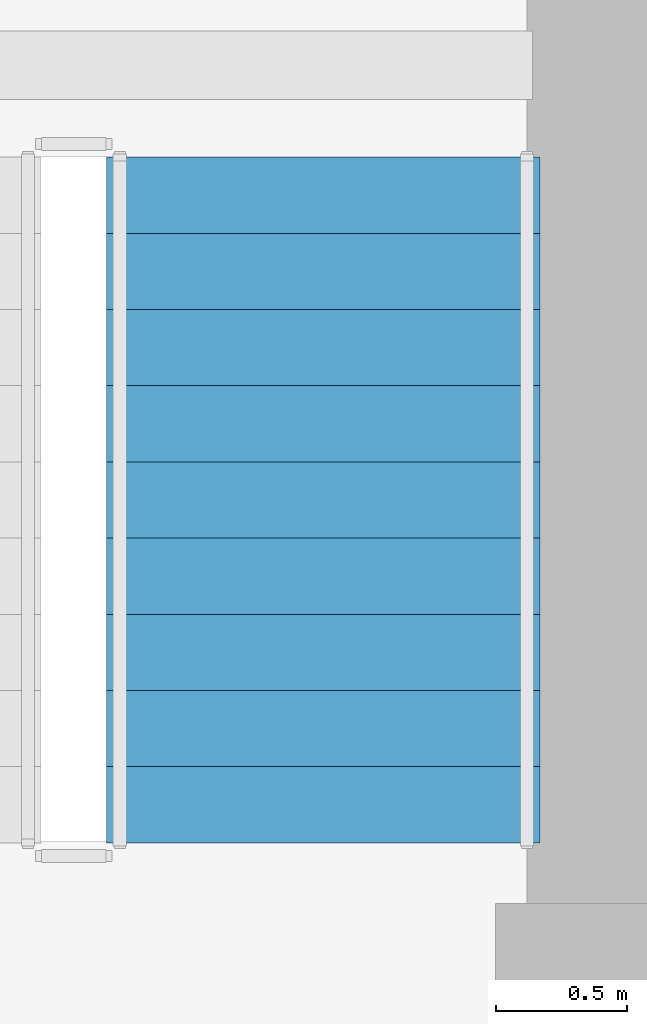
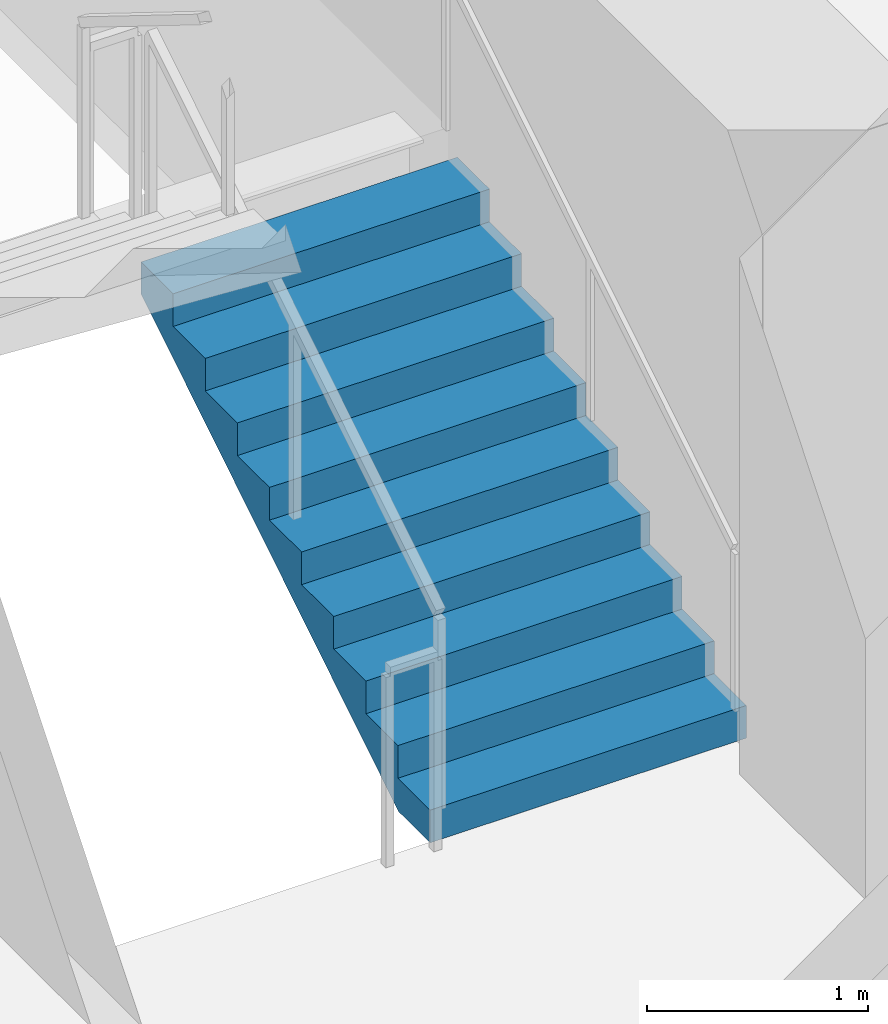
# One storey, part 13 of 15: 1 stair flight, 1 element without a shape of its own.
"""IFC4 building model written with IfcOpenShell, lengths in metres."""

from ifc_helpers import new_model, si_unit, derived_unit, direction, frame, origin, place, context, subcontext, project, spatial, polyline, outline, extrude, material, type_object, element, aggregate, save


model = new_model("IFC4")

# Units and contexts
model_context = context("Model", 3, precision=1e-05, world=origin(), true_north=direction((0.0, 1.0)))
body_context = subcontext(model_context, "Body", "Model", "MODEL_VIEW")
ifc_project = project(units=[si_unit("LENGTHUNIT", "METRE"), si_unit("AREAUNIT", "SQUARE_METRE"), si_unit("VOLUMEUNIT", "CUBIC_METRE"), si_unit("PLANEANGLEUNIT", "RADIAN"), si_unit("MASSUNIT", "GRAM", prefix="KILO"), derived_unit("THERMALTRANSMITTANCEUNIT", [(si_unit("POWERUNIT", "WATT"), 1), (si_unit("LENGTHUNIT", "METRE"), -2), (si_unit("THERMODYNAMICTEMPERATUREUNIT", "KELVIN"), -1)])], contexts=[model_context])

# Site, building, storey
site_placement = place(None, origin())
site = spatial("IfcSite", under=ifc_project, at=site_placement, CompositionType="ELEMENT")
building_placement = place(site_placement, origin())
building = spatial("IfcBuilding", under=site, at=building_placement, Name="Koralith Skygarden Medical Center", CompositionType="ELEMENT")
storey_placement = place(building_placement, frame((0.0, 0.0, 41.93994140625)))
storey = spatial("IfcBuildingStorey", under=building, at=storey_placement, Name="L10", CompositionType="ELEMENT", Elevation=41.93994140625)

# Stair, stair flight
ifc_material = material(Name="Concrete C45/55", Category="concrete")
stair_type = type_object("IfcStairType", Name="Core Exit Dogleg Concrete Stair", PredefinedType="HALF_TURN_STAIR", material=ifc_material)
stair_placement = place(storey_placement, origin())
stair = element("IfcStair", 1, at=stair_placement, inside=storey, type_object=stair_type, Name="L10 Smokeproof Exit Stair ST2", PredefinedType="HALF_TURN_STAIR")
stair_flight_type = type_object("IfcStairFlightType", Name="Core Exit Concrete Stair Flight 1650", PredefinedType="STRAIGHT", material=ifc_material)
stair_flight_placement = place(storey_placement, frame((46.97509765625, 26.699951171875, 0.0), z_axis=(0.0, 0.0, 1.0), x_axis=(0.0, 1.0, 0.0)))
stair_flight = element("IfcStairFlight", 2, at=stair_flight_placement, type_object=stair_flight_type, Name="ST2 flight 1", NumberOfRisers=10, NumberOfTreads=9, PredefinedType="STRAIGHT", RiserHeight=0.18, TreadLength=0.29, context=body_context, shape_type="SweptSolid", body=[
    extrude(outline(polyline([(0.0, 0.0), (0.0, 0.179931640625), (0.2900390625, 0.179931640625), (0.2900390625, 0.360107421875), (0.580078125, 0.360107421875), (0.580078125, 0.5400390625), (0.8701171875, 0.5400390625), (0.8701171875, 0.719970703125), (1.159912109375, 0.719970703125), (1.159912109375, 0.89990234375), (1.449951171875, 0.89990234375), (1.449951171875, 1.080078125), (1.739990234375, 1.080078125), (1.739990234375, 1.260009765625), (2.030029296875, 1.260009765625), (2.030029296875, 1.43994140625), (2.320068359375, 1.43994140625), (2.320068359375, 1.6201171875), (2.610107421875, 1.6201171875), (2.610107421875, 1.800048828125), (2.610107421875, 1.443603515625), (0.2841796875, 0.0), (0.0, 0.0)])), frame((0.0, 0.824951171875, 0.0), z_axis=(0.0, -1.0, 0.0), x_axis=(1.0, 0.0, 0.0)), (0.0, 0.0, 1.0), 1.64990234375),
])
aggregate(stair, [stair_flight])

save(model, "model.ifc")
